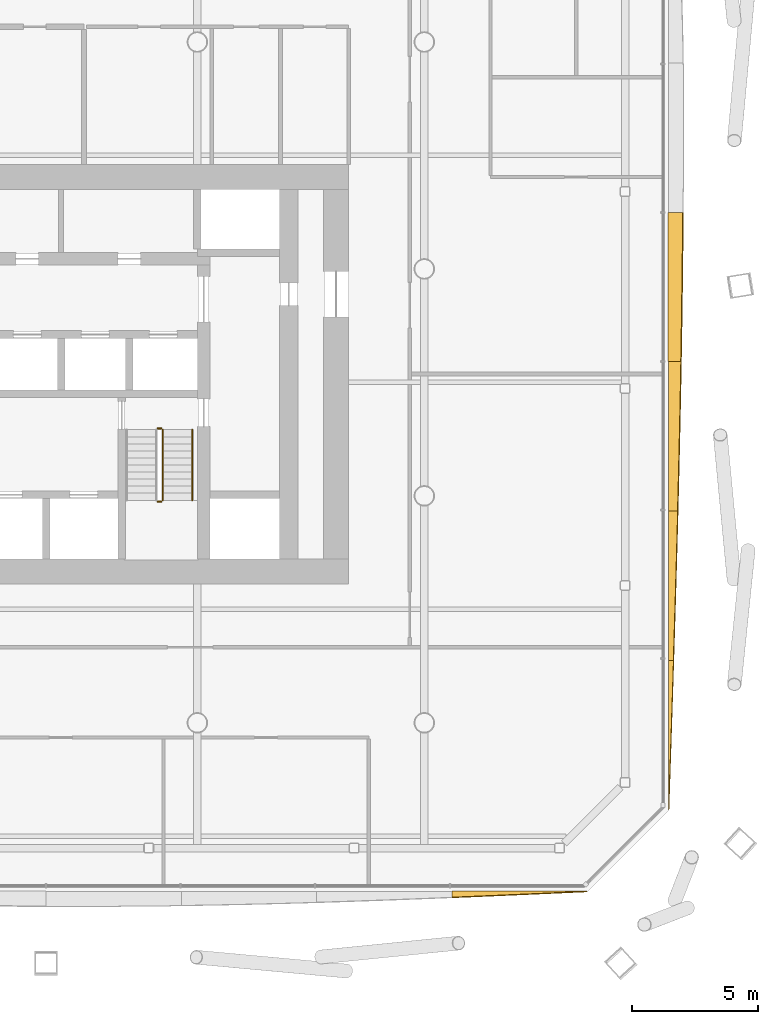
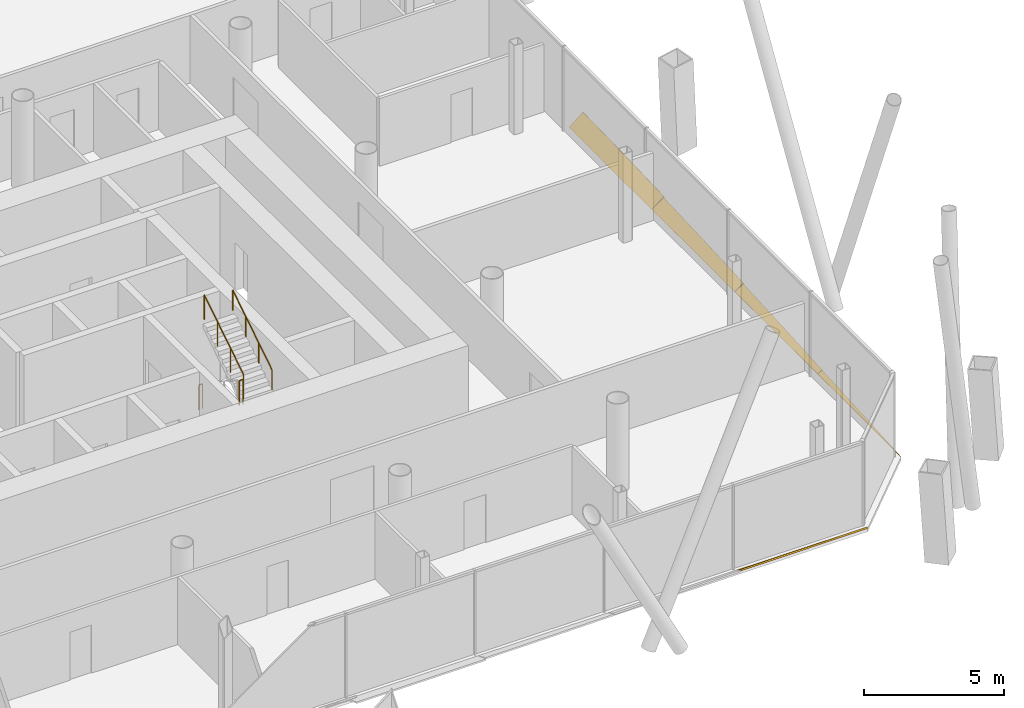
# One storey, part 20 of 22: 5 shading devices, 4 railings.
"""IFC4 building model written with IfcOpenShell, lengths in metres."""

from ifc_helpers import new_model, si_unit, direction, frame, origin, origin_2d, place, context, subcontext, project, spatial, polyline, circle, outline, extrude, material, layer, layer_set, type_object, element, save


model = new_model("IFC4")

# Units and contexts
model_context = context("Model", 3, precision=1e-05, world=origin(), true_north=direction((0.0, 1.0)))
body_context = subcontext(model_context, "Body", "Model", "MODEL_VIEW")
ifc_project = project(units=[si_unit("LENGTHUNIT", "METRE"), si_unit("AREAUNIT", "SQUARE_METRE"), si_unit("VOLUMEUNIT", "CUBIC_METRE"), si_unit("PLANEANGLEUNIT", "RADIAN"), si_unit("MASSUNIT", "GRAM", prefix="KILO")], contexts=[model_context])

# Site, building, storey
site_placement = place(None, origin())
site = spatial("IfcSite", under=ifc_project, at=site_placement, CompositionType="ELEMENT")
building_placement = place(site_placement, origin())
building = spatial("IfcBuilding", under=site, at=building_placement, Name="Tskaro Facet Tower", CompositionType="ELEMENT")
storey_placement = place(building_placement, frame((0.0, 0.0, 85.5)))
storey = spatial("IfcBuildingStorey", under=building, at=storey_placement, Name="L20", CompositionType="ELEMENT", Elevation=85.5)

# Shading devices
ifc_material_1 = material(Name="Bronze anodised aluminium 6063-T6", Category="aluminium")
ifc_layer = layer(ifc_material_1, 0.06005859375, Name="Bronze anodised aluminium 6063-T6")
ifc_layer_set = layer_set([ifc_layer], Name="Bronze anodised aluminium 6063-T6")
shading_device_type = type_object("IfcShadingDeviceType", Name="Bronze sun blade (FN1)", PredefinedType="USERDEFINED", material=ifc_layer_set)
shading_device_1_placement = place(storey_placement, frame((19.089111328125, -24.678466796875, 0.049072265625), z_axis=(-1.4673753e-05, 0.573799445465, 0.818995846247), x_axis=(0.999999999892, 8.419792e-06, 1.2017743e-05)))
element("IfcShadingDevice", 1, at=shading_device_1_placement, inside=storey, type_object=shading_device_type, Name="Fin blade south 8", ObjectType="FIN", PredefinedType="USERDEFINED", context=body_context, shape_type="SweptSolid", body=[
    extrude(outline(polyline([(0.0, 0.0), (5.362792968172645, -9.084924667669903e-21), (4.69262695298344, -0.03698145427400086), (4.022216797169262, -0.07396290854800172), (3.351806640476678, -0.11060432490895053), (2.681396482905688, -0.1469057033568473), (2.0109863294459243, -0.18280718148915093), (1.340576172173735, -0.21822853395314706), (0.6701660140231397, -0.2533098485040911), (-1.1480679229972538e-09, -0.28731118691333796), (0.0, 0.0)])), origin(), (0.0, 0.0, -1.0), 0.06005859375),
])
shading_device_2_placement = place(storey_placement, frame((27.687744140625, -21.451904296875, 0.054443359375), z_axis=(-0.4222667356, -1.2120111e-05, 0.906471623306), x_axis=(-5.11792e-06, 0.999999999927, 1.0986537e-05)))
element("IfcShadingDevice", 2, at=shading_device_2_placement, inside=storey, type_object=shading_device_type, Name="Fin blade east 1", ObjectType="FIN", PredefinedType="USERDEFINED", context=body_context, shape_type="SweptSolid", body=[
    extrude(outline(polyline([(0.0, 0.0), (5.924072265189886, 0.0), (5.9240722660457115, -0.21145748280965396), (5.183593751157412, -0.18589729223637524), (4.443115234836345, -0.16001270264966796), (3.70239257770702, -0.1335824075008572), (2.9619140612026773, -0.10715211235204644), (2.221435545947827, -0.08050051065456071), (1.4809570319424687, -0.0536276024084), (0.7404785140053584, -0.02687290824616071), (0.0, 0.0)])), origin(), (0.0, 0.0, -1.0), 0.06005859375),
])
shading_device_3_placement = place(storey_placement, frame((27.68310546875, -15.52783203125, 0.052001953125), z_axis=(-0.500123286888, 1.0578092e-05, 0.8659542123), x_axis=(5.29035e-06, 0.999999999944, -9.160143e-06)))
element("IfcShadingDevice", 3, at=shading_device_3_placement, inside=storey, type_object=shading_device_type, Name="Fin blade east 2", ObjectType="FIN", PredefinedType="USERDEFINED", context=body_context, shape_type="SweptSolid", body=[
    extrude(outline(polyline([(0.0, 0.0), (5.92407226529356, 0.0), (5.924072266740613, -0.41859073784783396), (5.183593750702593, -0.3960609506930423), (4.443115233026169, -0.3727748193185334), (3.7026367185308806, -0.34903307251771093), (2.962158202397188, -0.3245349814971712), (2.2214355475280563, -0.29936986044769365), (1.4809570307007325, -0.2737819101929677), (0.740478514818182, -0.24786044492377288), (8.251790347402324e-10, -0.22127194962564029), (0.0, 0.0)])), origin(), (0.0, 0.0, -1.0), 0.06005859375),
])
shading_device_4_placement = place(storey_placement, frame((27.678466796875, -9.603759765625, 0.049072265625), z_axis=(-0.573539993822, -1.2063872e-05, 0.819177560325), x_axis=(-6.919113e-06, 0.999999999927, 9.882453e-06)))
element("IfcShadingDevice", 4, at=shading_device_4_placement, inside=storey, type_object=shading_device_type, Name="Fin blade east 3", ObjectType="FIN", PredefinedType="USERDEFINED", context=body_context, shape_type="SweptSolid", body=[
    extrude(outline(polyline([(0.0, 0.0), (5.924072265193915, 5.017884390899804e-21), (5.924072265952495, -0.602663490822777), (5.183593750883003, -0.5860028455243733), (4.4431152336430975, -0.568322143423541), (3.7026367183347197, -0.5495614144112664), (2.962158203268636, -0.5299206530091275), (2.221679686755609, -0.509599853738703), (1.4812011721741114, -0.4881990275568361), (0.7404785147972164, -0.4657781445725405), (-9.88931454121307e-10, -0.44281724813252377), (0.0, 0.0)])), origin(), (0.0, 0.0, -1.0), 0.06005859375),
])
shading_device_5_placement = place(storey_placement, frame((27.67431640625, -3.6796875, 0.0458984375), z_axis=(-0.642754904427, -8.15399e-06, 0.766071884857), x_axis=(-5.241017e-06, 0.999999999967, 6.246543e-06)))
element("IfcShadingDevice", 5, at=shading_device_5_placement, inside=storey, type_object=shading_device_type, Name="Fin blade east 4", ObjectType="FIN", PredefinedType="USERDEFINED", context=body_context, shape_type="SweptSolid", body=[
    extrude(outline(polyline([(0.0, 0.0), (5.9243164060530535, 0.0), (5.924316406103692, -0.74446863667103), (5.183837890466208, -0.7364975306858055), (4.4431152345013185, -0.7269635880203544), (3.7026367197044965, -0.7162107605275414), (2.962158202646171, -0.7042691548920423), (2.2216796874104676, -0.690921635160411), (1.481201171438295, -0.6765422598701878), (0.740722656009199, -0.6609439997526023), (-7.813577827580591e-10, -0.6443138840764248), (0.0, 0.0)])), origin(), (0.0, 0.0, -1.0), 0.06005859375),
])

# Railings
ifc_material_2 = material(Name="Stainless steel", Category="steel")
railing_type_1 = type_object("IfcRailingType", Name="RL-GUARD-1100", PredefinedType="GUARDRAIL", material=ifc_material_2)
railing_1_placement = place(storey_placement, frame((7.425048828125, -9.22509765625, 1.949951171875)))
element("IfcRailing", 6, at=railing_1_placement, inside=storey, type_object=railing_type_1, Name="L20 ST-2 stair guard 2", PredefinedType="GUARDRAIL", context=body_context, shape_type="SweptSolid", body=[
    extrude(circle(Radius=0.02392578125, at=origin_2d()), frame((0.0, 0.0, 1.076171875), z_axis=(1.0, 0.0, 0.0), x_axis=(0.0, 1.0, 0.0)), (0.0, 0.0, 1.0), 0.14990234375),
    extrude(circle(Radius=0.02099609375, at=origin_2d()), origin(), (0.0, 0.0, 1.0), 1.052001953125),
    extrude(circle(Radius=0.02099609375, at=origin_2d()), frame((0.14990234375, 0.0, 0.0)), (0.0, 0.0, 1.0), 1.052001953125),
])
railing_2_placement = place(storey_placement, frame((7.625, -9.175048828125, 2.127197265625)))
element("IfcRailing", 7, at=railing_2_placement, inside=storey, type_object=railing_type_1, Name="L20 ST-2 stair guard 3", PredefinedType="GUARDRAIL", context=body_context, shape_type="SweptSolid", body=[
    extrude(circle(Radius=0.02392578125, at=origin_2d()), frame((0.0, 0.0, 1.076171875), z_axis=(0.0, 0.844908973607, 0.534910110503), x_axis=(-1.0, 0.0, 0.0)), (0.0, 0.0, 1.0), 3.31396484375),
    extrude(circle(Radius=0.02099609375, at=origin_2d()), origin(), (0.0, 0.0, 1.0), 1.052001953125),
    extrude(circle(Radius=0.02099609375, at=origin_2d()), frame((0.0, 0.933349609375, 0.5908203125)), (0.0, 0.0, 1.0), 1.052001953125),
    extrude(circle(Radius=0.02099609375, at=origin_2d()), frame((0.0, 1.86669921875, 1.181884765625)), (0.0, 0.0, 1.0), 1.052001953125),
    extrude(circle(Radius=0.02099609375, at=origin_2d()), frame((0.0, 2.800048828125, 1.772705078125)), (0.0, 0.0, 1.0), 1.052001953125),
])
railing_3_placement = place(storey_placement, frame((7.425048828125, -6.324951171875, 0.0)))
element("IfcRailing", 8, at=railing_3_placement, inside=storey, type_object=railing_type_1, Name="L20 ST-2 stair guard 4", PredefinedType="GUARDRAIL", context=body_context, shape_type="SweptSolid", body=[
    extrude(circle(Radius=0.02392578125, at=origin_2d()), frame((0.0, 0.0, 1.076171875), z_axis=(1.0, 0.0, 0.0), x_axis=(0.0, 1.0, 0.0)), (0.0, 0.0, 1.0), 0.14990234375),
    extrude(circle(Radius=0.02099609375, at=origin_2d()), origin(), (0.0, 0.0, 1.0), 1.052001953125),
    extrude(circle(Radius=0.02099609375, at=origin_2d()), frame((0.14990234375, 0.0, 0.0)), (0.0, 0.0, 1.0), 1.052001953125),
])
railing_type_2 = type_object("IfcRailingType", Name="RL-HANDRAIL-900", PredefinedType="HANDRAIL", material=ifc_material_2)
railing_4_placement = place(storey_placement, frame((8.800048828125, -9.175048828125, 2.127197265625)))
element("IfcRailing", 9, at=railing_4_placement, inside=storey, type_object=railing_type_2, Name="L20 ST-2 stair handrail 2", PredefinedType="HANDRAIL", context=body_context, shape_type="SweptSolid", body=[
    extrude(circle(Radius=0.02392578125, at=origin_2d()), frame((0.0, 0.0, 0.8759765625), z_axis=(0.0, 0.844908973607, 0.534910110503), x_axis=(-1.0, 0.0, 0.0)), (0.0, 0.0, 1.0), 3.31396484375),
    extrude(circle(Radius=0.02099609375, at=origin_2d()), origin(), (0.0, 0.0, 1.0), 0.851806640625),
    extrude(circle(Radius=0.02099609375, at=origin_2d()), frame((0.0, 0.933349609375, 0.5908203125)), (0.0, 0.0, 1.0), 0.851806640625),
    extrude(circle(Radius=0.02099609375, at=origin_2d()), frame((0.0, 1.86669921875, 1.181884765625)), (0.0, 0.0, 1.0), 0.851806640625),
    extrude(circle(Radius=0.02099609375, at=origin_2d()), frame((0.0, 2.800048828125, 1.772705078125)), (0.0, 0.0, 1.0), 0.851806640625),
])

save(model, "model.ifc")
